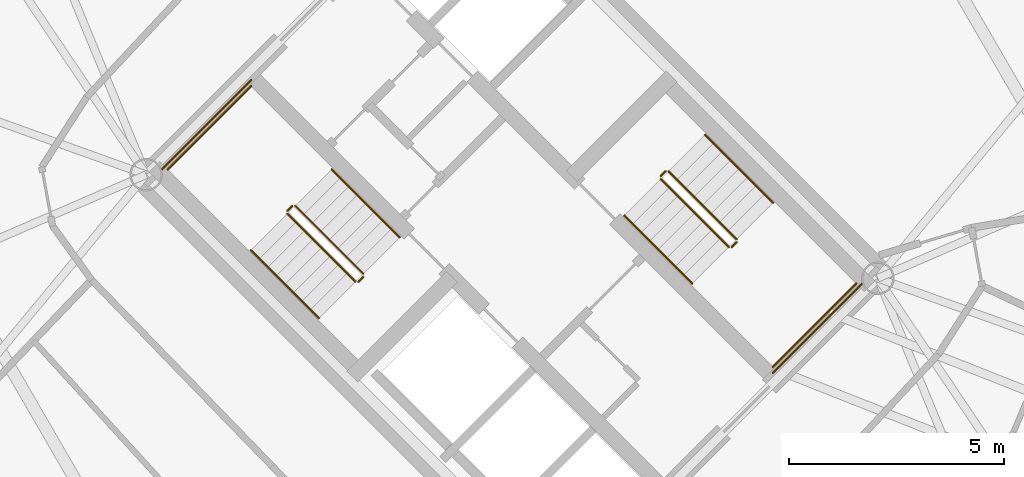
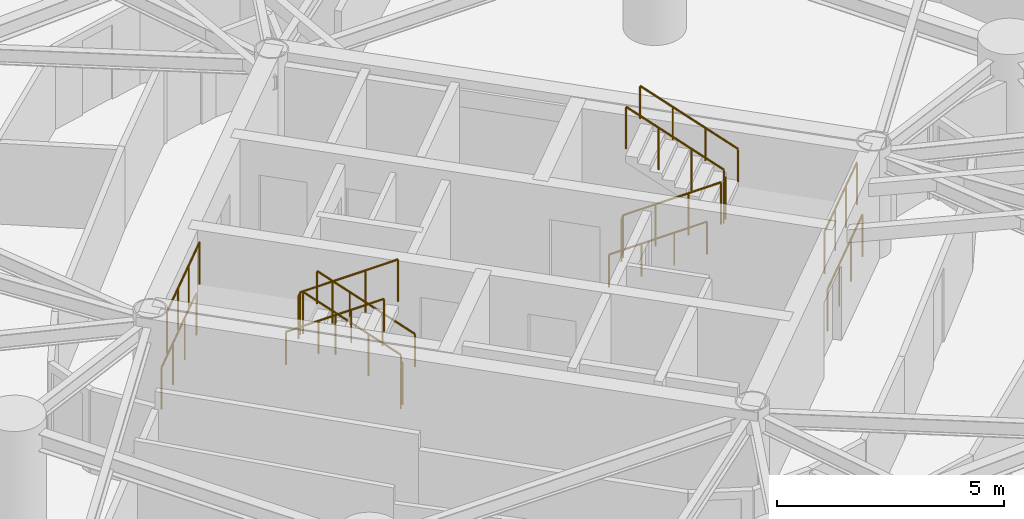
# One storey, part 17 of 17: 16 railings.
"""IFC4 building model written with IfcOpenShell, lengths in metres."""

from ifc_helpers import new_model, si_unit, direction, frame, origin, origin_2d, place, context, subcontext, project, spatial, circle, extrude, material, type_object, element, save


model = new_model("IFC4")

# Units and contexts
model_context = context("Model", 3, precision=1e-05, world=origin(), true_north=direction((0.0, 1.0)))
body_context = subcontext(model_context, "Body", "Model", "MODEL_VIEW")
ifc_project = project(units=[si_unit("LENGTHUNIT", "METRE"), si_unit("AREAUNIT", "SQUARE_METRE"), si_unit("VOLUMEUNIT", "CUBIC_METRE"), si_unit("PLANEANGLEUNIT", "RADIAN"), si_unit("MASSUNIT", "GRAM", prefix="KILO")], contexts=[model_context])

# Site, building, storey
site_placement = place(None, origin())
site = spatial("IfcSite", under=ifc_project, at=site_placement, CompositionType="ELEMENT")
building_placement = place(site_placement, origin())
building = spatial("IfcBuilding", under=site, at=building_placement, Name="Cununo Teusaquillo Station Towers", CompositionType="ELEMENT")
storey_placement = place(building_placement, frame((0.0, 0.0, 107.97998046875)))
storey = spatial("IfcBuildingStorey", under=building, at=storey_placement, Name="L34", CompositionType="ELEMENT", Elevation=107.97998046875)

# Railings
ifc_material_1 = material(Name="Steel EN 10025-2 S355J2", Category="steel")
railing_type_1 = type_object("IfcRailingType", Name="RL-INT-GUARD", PredefinedType="GUARDRAIL", material=ifc_material_1)
railing_1_placement = place(storey_placement, frame((54.03515625, 23.39697265625, 0.16162109375)))
element("IfcRailing", 1, at=railing_1_placement, inside=storey, type_object=railing_type_1, Name="L34 ST-T2-1 stair guard 1", PredefinedType="GUARDRAIL", context=body_context, shape_type="SweptSolid", body=[
    extrude(circle(Radius=0.02392578125, at=origin_2d()), frame((0.0, 0.0, 1.1259765625), z_axis=(-0.612332353853, 0.612332353853, 0.500098167213), x_axis=(-0.707106781187, -0.707106781187, 0.0)), (0.0, 0.0, 1.0), 2.58642578125),
    extrude(circle(Radius=0.02099609375, at=origin_2d()), origin(), (0.0, 0.0, 1.0), 1.101806640625),
    extrude(circle(Radius=0.02099609375, at=origin_2d()), frame((-0.52783203125, 0.52783203125, 0.43115234375)), (0.0, 0.0, 1.0), 1.101806640625),
    extrude(circle(Radius=0.02099609375, at=origin_2d()), frame((-1.055908203125, 1.055908203125, 0.8623046875)), (0.0, 0.0, 1.0), 1.101806640625),
    extrude(circle(Radius=0.02099609375, at=origin_2d()), frame((-1.583740234375, 1.583740234375, 1.29345703125)), (0.0, 0.0, 1.0), 1.101806640625),
])
railing_2_placement = place(storey_placement, frame((52.380615234375, 24.980712890625, 1.455078125)))
element("IfcRailing", 2, at=railing_2_placement, inside=storey, type_object=railing_type_1, Name="L34 ST-T2-1 stair guard 2", PredefinedType="GUARDRAIL", context=body_context, shape_type="SweptSolid", body=[
    extrude(circle(Radius=0.02392578125, at=origin_2d()), frame((0.0, 0.0, 1.1259765625), z_axis=(-0.7078691598, -0.706343579714, 0.0), x_axis=(0.706343579714, -0.7078691598, 0.0)), (0.0, 0.0, 1.0), 0.159912109375),
    extrude(circle(Radius=0.02099609375, at=origin_2d()), origin(), (0.0, 0.0, 1.0), 1.101806640625),
    extrude(circle(Radius=0.02099609375, at=origin_2d()), frame((-0.11328125, -0.113037109375, 0.0)), (0.0, 0.0, 1.0), 1.101806640625),
])
railing_3_placement = place(storey_placement, frame((51.426025390625, 27.77392578125, 1.455078125)))
element("IfcRailing", 3, at=railing_3_placement, inside=storey, type_object=railing_type_1, Name="L34 ST-T2-1 stair guard 3", PredefinedType="GUARDRAIL", context=body_context, shape_type="SweptSolid", body=[
    extrude(circle(Radius=0.02392578125, at=origin_2d()), frame((0.0, 0.0, 1.1259765625), z_axis=(-0.707106781187, -0.707106781187, 0.0), x_axis=(0.707106781187, -0.707106781187, 0.0)), (0.0, 0.0, 1.0), 2.760009765625),
    extrude(circle(Radius=0.02099609375, at=origin_2d()), origin(), (0.0, 0.0, 1.0), 1.101806640625),
    extrude(circle(Radius=0.02099609375, at=origin_2d()), frame((-0.650634765625, -0.650634765625, 0.0)), (0.0, 0.0, 1.0), 1.101806640625),
    extrude(circle(Radius=0.02099609375, at=origin_2d()), frame((-1.301025390625, -1.301025390625, 0.0)), (0.0, 0.0, 1.0), 1.101806640625),
    extrude(circle(Radius=0.02099609375, at=origin_2d()), frame((-1.95166015625, -1.95166015625, 0.0)), (0.0, 0.0, 1.0), 1.101806640625),
])
railing_4_placement = place(storey_placement, frame((52.267333984375, 24.796875, 1.61669921875)))
element("IfcRailing", 4, at=railing_4_placement, inside=storey, type_object=railing_type_1, Name="L34 ST-T2-1 stair guard 4", PredefinedType="GUARDRAIL", context=body_context, shape_type="SweptSolid", body=[
    extrude(circle(Radius=0.02392578125, at=origin_2d()), frame((0.0, 0.0, 1.1259765625), z_axis=(0.612420254088, -0.612325861324, 0.499998471934), x_axis=(0.707052281454, 0.707161276719, 0.0)), (0.0, 0.0, 1.0), 2.58642578125),
    extrude(circle(Radius=0.02099609375, at=origin_2d()), origin(), (0.0, 0.0, 1.0), 1.101806640625),
    extrude(circle(Radius=0.02099609375, at=origin_2d()), frame((0.528076171875, -0.52783203125, 0.43115234375)), (0.0, 0.0, 1.0), 1.101806640625),
    extrude(circle(Radius=0.02099609375, at=origin_2d()), frame((1.055908203125, -1.055908203125, 0.862060546875)), (0.0, 0.0, 1.0), 1.101806640625),
    extrude(circle(Radius=0.02099609375, at=origin_2d()), frame((1.583984375, -1.583740234375, 1.293212890625)), (0.0, 0.0, 1.0), 1.101806640625),
])
railing_5_placement = place(storey_placement, frame((54.03515625, 23.326171875, 0.0)))
element("IfcRailing", 5, at=railing_5_placement, inside=storey, type_object=railing_type_1, Name="L34 ST-T2-1 stair guard 5", PredefinedType="GUARDRAIL", context=body_context, shape_type="SweptSolid", body=[
    extrude(circle(Radius=0.02392578125, at=origin_2d()), frame((0.0, 0.0, 1.1259765625), z_axis=(-0.707106781187, -0.707106781187, 0.0), x_axis=(0.707106781187, -0.707106781187, 0.0)), (0.0, 0.0, 1.0), 0.159912109375),
    extrude(circle(Radius=0.02099609375, at=origin_2d()), origin(), (0.0, 0.0, 1.0), 1.101806640625),
    extrude(circle(Radius=0.02099609375, at=origin_2d()), frame((-0.113037109375, -0.113037109375, 0.0)), (0.0, 0.0, 1.0), 1.101806640625),
])
railing_6_placement = place(storey_placement, frame((51.426025390625, 27.915283203125, 0.0)))
element("IfcRailing", 6, at=railing_6_placement, inside=storey, type_object=railing_type_1, Name="L34 ST-T2-1 stair guard 6", PredefinedType="GUARDRAIL", context=body_context, shape_type="SweptSolid", body=[
    extrude(circle(Radius=0.02392578125, at=origin_2d()), frame((0.0, 0.0, 1.1259765625), z_axis=(-0.707106781187, -0.707106781187, 0.0), x_axis=(0.707106781187, -0.707106781187, 0.0)), (0.0, 0.0, 1.0), 2.9599609375),
    extrude(circle(Radius=0.02099609375, at=origin_2d()), origin(), (0.0, 0.0, 1.0), 1.101806640625),
    extrude(circle(Radius=0.02099609375, at=origin_2d()), frame((-0.69775390625, -0.69775390625, 0.0)), (0.0, 0.0, 1.0), 1.101806640625),
    extrude(circle(Radius=0.02099609375, at=origin_2d()), frame((-1.395263671875, -1.395263671875, 0.0)), (0.0, 0.0, 1.0), 1.101806640625),
    extrude(circle(Radius=0.02099609375, at=origin_2d()), frame((-2.093017578125, -2.093017578125, 0.0)), (0.0, 0.0, 1.0), 1.101806640625),
])
railing_7_placement = place(storey_placement, frame((60.96484375, 25.60302734375, 0.16162109375)))
element("IfcRailing", 7, at=railing_7_placement, inside=storey, type_object=railing_type_1, Name="L34 ST-T2-2 stair guard 1", PredefinedType="GUARDRAIL", context=body_context, shape_type="SweptSolid", body=[
    extrude(circle(Radius=0.02392578125, at=origin_2d()), frame((0.0, 0.0, 1.1259765625), z_axis=(0.612332353853, -0.612332353853, 0.500098167213), x_axis=(0.707106781187, 0.707106781187, 0.0)), (0.0, 0.0, 1.0), 2.58642578125),
    extrude(circle(Radius=0.02099609375, at=origin_2d()), origin(), (0.0, 0.0, 1.0), 1.101806640625),
    extrude(circle(Radius=0.02099609375, at=origin_2d()), frame((0.52783203125, -0.52783203125, 0.43115234375)), (0.0, 0.0, 1.0), 1.101806640625),
    extrude(circle(Radius=0.02099609375, at=origin_2d()), frame((1.055908203125, -1.055908203125, 0.8623046875)), (0.0, 0.0, 1.0), 1.101806640625),
    extrude(circle(Radius=0.02099609375, at=origin_2d()), frame((1.583740234375, -1.583740234375, 1.29345703125)), (0.0, 0.0, 1.0), 1.101806640625),
])
railing_8_placement = place(storey_placement, frame((62.619384765625, 24.019287109375, 1.455078125)))
element("IfcRailing", 8, at=railing_8_placement, inside=storey, type_object=railing_type_1, Name="L34 ST-T2-2 stair guard 2", PredefinedType="GUARDRAIL", context=body_context, shape_type="SweptSolid", body=[
    extrude(circle(Radius=0.02392578125, at=origin_2d()), frame((0.0, 0.0, 1.1259765625), z_axis=(0.7078691598, 0.706343579714, 0.0), x_axis=(-0.706343579714, 0.7078691598, 0.0)), (0.0, 0.0, 1.0), 0.159912109375),
    extrude(circle(Radius=0.02099609375, at=origin_2d()), origin(), (0.0, 0.0, 1.0), 1.101806640625),
    extrude(circle(Radius=0.02099609375, at=origin_2d()), frame((0.11328125, 0.113037109375, 0.0)), (0.0, 0.0, 1.0), 1.101806640625),
])
railing_9_placement = place(storey_placement, frame((63.573974609375, 21.22607421875, 1.455078125)))
element("IfcRailing", 9, at=railing_9_placement, inside=storey, type_object=railing_type_1, Name="L34 ST-T2-2 stair guard 3", PredefinedType="GUARDRAIL", context=body_context, shape_type="SweptSolid", body=[
    extrude(circle(Radius=0.02392578125, at=origin_2d()), frame((0.0, 0.0, 1.1259765625), z_axis=(0.707106781187, 0.707106781187, 0.0), x_axis=(-0.707106781187, 0.707106781187, 0.0)), (0.0, 0.0, 1.0), 2.760009765625),
    extrude(circle(Radius=0.02099609375, at=origin_2d()), origin(), (0.0, 0.0, 1.0), 1.101806640625),
    extrude(circle(Radius=0.02099609375, at=origin_2d()), frame((0.650634765625, 0.650634765625, 0.0)), (0.0, 0.0, 1.0), 1.101806640625),
    extrude(circle(Radius=0.02099609375, at=origin_2d()), frame((1.301025390625, 1.301025390625, 0.0)), (0.0, 0.0, 1.0), 1.101806640625),
    extrude(circle(Radius=0.02099609375, at=origin_2d()), frame((1.95166015625, 1.95166015625, 0.0)), (0.0, 0.0, 1.0), 1.101806640625),
])
railing_10_placement = place(storey_placement, frame((62.732666015625, 24.203125, 1.61669921875)))
element("IfcRailing", 10, at=railing_10_placement, inside=storey, type_object=railing_type_1, Name="L34 ST-T2-2 stair guard 4", PredefinedType="GUARDRAIL", context=body_context, shape_type="SweptSolid", body=[
    extrude(circle(Radius=0.02392578125, at=origin_2d()), frame((0.0, 0.0, 1.1259765625), z_axis=(-0.612420254088, 0.612325861324, 0.499998471934), x_axis=(-0.707052281454, -0.707161276719, 0.0)), (0.0, 0.0, 1.0), 2.58642578125),
    extrude(circle(Radius=0.02099609375, at=origin_2d()), origin(), (0.0, 0.0, 1.0), 1.101806640625),
    extrude(circle(Radius=0.02099609375, at=origin_2d()), frame((-0.528076171875, 0.52783203125, 0.43115234375)), (0.0, 0.0, 1.0), 1.101806640625),
    extrude(circle(Radius=0.02099609375, at=origin_2d()), frame((-1.055908203125, 1.055908203125, 0.862060546875)), (0.0, 0.0, 1.0), 1.101806640625),
    extrude(circle(Radius=0.02099609375, at=origin_2d()), frame((-1.583984375, 1.583740234375, 1.293212890625)), (0.0, 0.0, 1.0), 1.101806640625),
])
railing_11_placement = place(storey_placement, frame((60.96484375, 25.673828125, 0.0)))
element("IfcRailing", 11, at=railing_11_placement, inside=storey, type_object=railing_type_1, Name="L34 ST-T2-2 stair guard 5", PredefinedType="GUARDRAIL", context=body_context, shape_type="SweptSolid", body=[
    extrude(circle(Radius=0.02392578125, at=origin_2d()), frame((0.0, 0.0, 1.1259765625), z_axis=(0.707106781187, 0.707106781187, 0.0), x_axis=(-0.707106781187, 0.707106781187, 0.0)), (0.0, 0.0, 1.0), 0.159912109375),
    extrude(circle(Radius=0.02099609375, at=origin_2d()), origin(), (0.0, 0.0, 1.0), 1.101806640625),
    extrude(circle(Radius=0.02099609375, at=origin_2d()), frame((0.113037109375, 0.113037109375, 0.0)), (0.0, 0.0, 1.0), 1.101806640625),
])
railing_12_placement = place(storey_placement, frame((63.573974609375, 21.084716796875, 0.0)))
element("IfcRailing", 12, at=railing_12_placement, inside=storey, type_object=railing_type_1, Name="L34 ST-T2-2 stair guard 6", PredefinedType="GUARDRAIL", context=body_context, shape_type="SweptSolid", body=[
    extrude(circle(Radius=0.02392578125, at=origin_2d()), frame((0.0, 0.0, 1.1259765625), z_axis=(0.707106781187, 0.707106781187, 0.0), x_axis=(-0.707106781187, 0.707106781187, 0.0)), (0.0, 0.0, 1.0), 2.9599609375),
    extrude(circle(Radius=0.02099609375, at=origin_2d()), origin(), (0.0, 0.0, 1.0), 1.101806640625),
    extrude(circle(Radius=0.02099609375, at=origin_2d()), frame((0.69775390625, 0.69775390625, 0.0)), (0.0, 0.0, 1.0), 1.101806640625),
    extrude(circle(Radius=0.02099609375, at=origin_2d()), frame((1.395263671875, 1.395263671875, 0.0)), (0.0, 0.0, 1.0), 1.101806640625),
    extrude(circle(Radius=0.02099609375, at=origin_2d()), frame((2.093017578125, 2.093017578125, 0.0)), (0.0, 0.0, 1.0), 1.101806640625),
])
ifc_material_2 = material(Name="Steel EN 10025-2 S355J2", Category="steel")
railing_type_2 = type_object("IfcRailingType", Name="RL-INT-HRAIL", PredefinedType="HANDRAIL", material=ifc_material_2)
railing_13_placement = place(storey_placement, frame((54.8837890625, 24.245361328125, 0.16162109375)))
element("IfcRailing", 13, at=railing_13_placement, inside=storey, type_object=railing_type_2, Name="L34 ST-T2-1 stair handrail 1", PredefinedType="HANDRAIL", context=body_context, shape_type="SweptSolid", body=[
    extrude(circle(Radius=0.02392578125, at=origin_2d()), frame((0.0, 0.0, 0.8759765625), z_axis=(-0.612355957468, 0.612355957468, 0.500040361077), x_axis=(-0.707106781187, -0.707106781187, 0.0)), (0.0, 0.0, 1.0), 2.586669921875),
    extrude(circle(Radius=0.02099609375, at=origin_2d()), origin(), (0.0, 0.0, 1.0), 0.851806640625),
    extrude(circle(Radius=0.02099609375, at=origin_2d()), frame((-0.528076171875, 0.528076171875, 0.43115234375)), (0.0, 0.0, 1.0), 0.851806640625),
    extrude(circle(Radius=0.02099609375, at=origin_2d()), frame((-1.055908203125, 1.055908203125, 0.8623046875)), (0.0, 0.0, 1.0), 0.851806640625),
    extrude(circle(Radius=0.02099609375, at=origin_2d()), frame((-1.583984375, 1.583984375, 1.29345703125)), (0.0, 0.0, 1.0), 0.851806640625),
])
railing_14_placement = place(storey_placement, frame((51.4189453125, 23.948486328125, 1.61669921875)))
element("IfcRailing", 14, at=railing_14_placement, inside=storey, type_object=railing_type_2, Name="L34 ST-T2-1 stair handrail 2", PredefinedType="HANDRAIL", context=body_context, shape_type="SweptSolid", body=[
    extrude(circle(Radius=0.02392578125, at=origin_2d()), frame((0.0, 0.0, 0.8759765625), z_axis=(0.612384857071, -0.612384857071, 0.499969572735), x_axis=(0.707106781187, 0.707106781187, 0.0)), (0.0, 0.0, 1.0), 2.586669921875),
    extrude(circle(Radius=0.02099609375, at=origin_2d()), origin(), (0.0, 0.0, 1.0), 0.851806640625),
    extrude(circle(Radius=0.02099609375, at=origin_2d()), frame((0.528076171875, -0.528076171875, 0.43115234375)), (0.0, 0.0, 1.0), 0.851806640625),
    extrude(circle(Radius=0.02099609375, at=origin_2d()), frame((1.055908203125, -1.055908203125, 0.862060546875)), (0.0, 0.0, 1.0), 0.851806640625),
    extrude(circle(Radius=0.02099609375, at=origin_2d()), frame((1.583984375, -1.583984375, 1.293212890625)), (0.0, 0.0, 1.0), 0.851806640625),
])
railing_15_placement = place(storey_placement, frame((60.1162109375, 24.754638671875, 0.16162109375)))
element("IfcRailing", 15, at=railing_15_placement, inside=storey, type_object=railing_type_2, Name="L34 ST-T2-2 stair handrail 1", PredefinedType="HANDRAIL", context=body_context, shape_type="SweptSolid", body=[
    extrude(circle(Radius=0.02392578125, at=origin_2d()), frame((0.0, 0.0, 0.8759765625), z_axis=(0.612355957468, -0.612355957468, 0.500040361077), x_axis=(0.707106781187, 0.707106781187, 0.0)), (0.0, 0.0, 1.0), 2.586669921875),
    extrude(circle(Radius=0.02099609375, at=origin_2d()), origin(), (0.0, 0.0, 1.0), 0.851806640625),
    extrude(circle(Radius=0.02099609375, at=origin_2d()), frame((0.528076171875, -0.528076171875, 0.43115234375)), (0.0, 0.0, 1.0), 0.851806640625),
    extrude(circle(Radius=0.02099609375, at=origin_2d()), frame((1.055908203125, -1.055908203125, 0.8623046875)), (0.0, 0.0, 1.0), 0.851806640625),
    extrude(circle(Radius=0.02099609375, at=origin_2d()), frame((1.583984375, -1.583984375, 1.29345703125)), (0.0, 0.0, 1.0), 0.851806640625),
])
railing_16_placement = place(storey_placement, frame((63.5810546875, 25.051513671875, 1.61669921875)))
element("IfcRailing", 16, at=railing_16_placement, inside=storey, type_object=railing_type_2, Name="L34 ST-T2-2 stair handrail 2", PredefinedType="HANDRAIL", context=body_context, shape_type="SweptSolid", body=[
    extrude(circle(Radius=0.02392578125, at=origin_2d()), frame((0.0, 0.0, 0.8759765625), z_axis=(-0.612384857071, 0.612384857071, 0.499969572735), x_axis=(-0.707106781187, -0.707106781187, 0.0)), (0.0, 0.0, 1.0), 2.586669921875),
    extrude(circle(Radius=0.02099609375, at=origin_2d()), origin(), (0.0, 0.0, 1.0), 0.851806640625),
    extrude(circle(Radius=0.02099609375, at=origin_2d()), frame((-0.528076171875, 0.528076171875, 0.43115234375)), (0.0, 0.0, 1.0), 0.851806640625),
    extrude(circle(Radius=0.02099609375, at=origin_2d()), frame((-1.055908203125, 1.055908203125, 0.862060546875)), (0.0, 0.0, 1.0), 0.851806640625),
    extrude(circle(Radius=0.02099609375, at=origin_2d()), frame((-1.583984375, 1.583984375, 1.293212890625)), (0.0, 0.0, 1.0), 0.851806640625),
])

save(model, "model.ifc")
